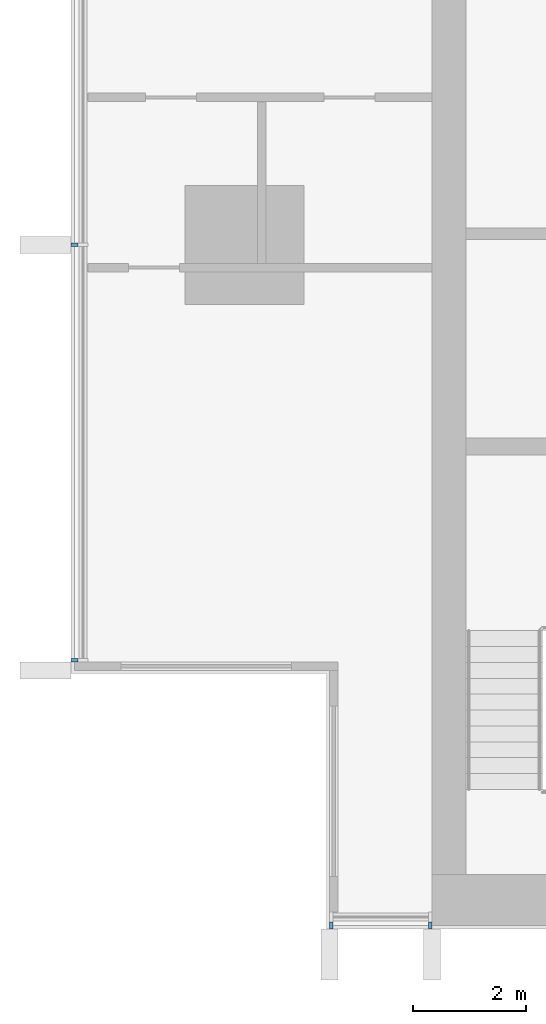
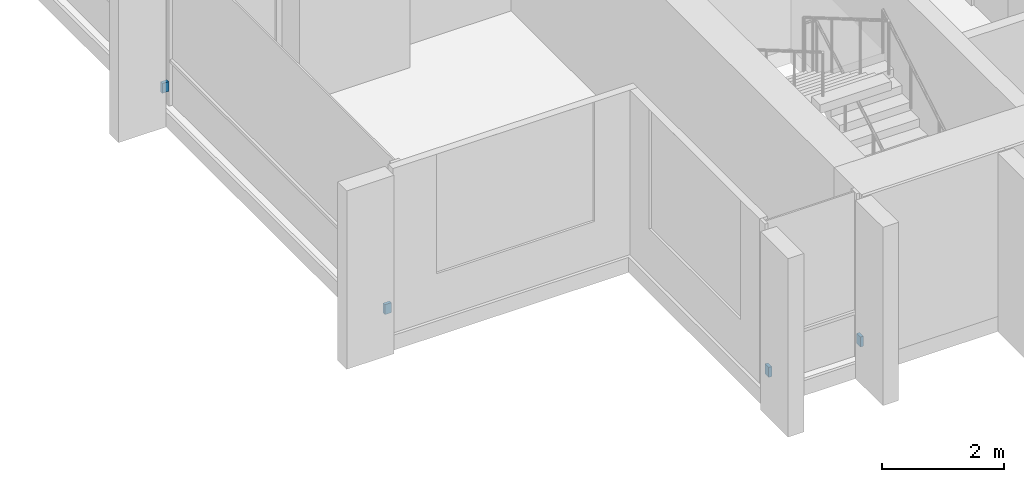
# One storey, part 12 of 16: 4 discrete accessories.
"""IFC4 building model written with IfcOpenShell, lengths in metres."""

from ifc_helpers import new_model, si_unit, direction, frame, origin, origin_2d, place, context, subcontext, project, spatial, rectangle, extrude, material, type_object, element, save


model = new_model("IFC4")

# Units and contexts
model_context = context("Model", 3, precision=1e-05, world=origin(), true_north=direction((0.0, 1.0)))
body_context = subcontext(model_context, "Body", "Model", "MODEL_VIEW")
ifc_project = project(units=[si_unit("LENGTHUNIT", "METRE"), si_unit("AREAUNIT", "SQUARE_METRE"), si_unit("VOLUMEUNIT", "CUBIC_METRE"), si_unit("PLANEANGLEUNIT", "RADIAN"), si_unit("MASSUNIT", "GRAM", prefix="KILO")], contexts=[model_context])

# Site, building, storey
site_placement = place(None, origin())
site = spatial("IfcSite", under=ifc_project, at=site_placement, CompositionType="ELEMENT")
building_placement = place(site_placement, origin())
building = spatial("IfcBuilding", under=site, at=building_placement, Name="Finial Court Residences", CompositionType="ELEMENT")
storey_placement = place(building_placement, frame((0.0, 0.0, 237.5)))
storey = spatial("IfcBuildingStorey", under=building, at=storey_placement, Name="L60", CompositionType="ELEMENT", Elevation=237.5)

# Discrete accessories
ifc_material = material(Name="Stainless steel 316", Category="steel")
discrete_accessory_type = type_object("IfcDiscreteAccessoryType", Name="Fin bracket, stainless steel 60 x 122 x 200", PredefinedType="BRACKET", material=ifc_material)
for number, where, z_axis, x_axis, name in (
    (1, (-14.969970703125, -25.498779296875, 0.2998046875), (0.0, 0.0, 1.0), (1.0, 0.0, 0.0), "E-L60-FIN-S13-BRK"),
    (2, (-13.22998046875, -25.498779296875, 0.2998046875), (0.0, 0.0, 1.0), (1.0, 0.0, 0.0), "E-L60-FIN-S14-BRK"),
):
    element("IfcDiscreteAccessory", number, at=place(storey_placement, frame(where, z_axis=z_axis, x_axis=x_axis)), inside=storey, type_object=discrete_accessory_type, Name=name, PredefinedType="BRACKET", context=body_context, shape_type="SweptSolid", body=[
        extrude(rectangle(XDim=0.06005859375, YDim=0.12255859375, at=origin_2d()), origin(), (0.0, 0.0, 1.0), 0.199951171875),
    ])
for number, where, z_axis, x_axis, name in (
    (3, (-19.498779296875, -20.820068359375, 0.2998046875), (0.0, 0.0, 1.0), (1.0, 0.0, 0.0), "E-L60-FIN-W21-BRK"),
    (4, (-19.498779296875, -13.5, 0.2998046875), (0.0, 0.0, 1.0), (1.0, 0.0, 0.0), "E-L60-FIN-W22-BRK"),
):
    element("IfcDiscreteAccessory", number, at=place(storey_placement, frame(where, z_axis=z_axis, x_axis=x_axis)), inside=storey, type_object=discrete_accessory_type, Name=name, PredefinedType="BRACKET", context=body_context, shape_type="SweptSolid", body=[
        extrude(rectangle(XDim=0.12255859375, YDim=0.06005859375, at=origin_2d()), origin(), (0.0, 0.0, 1.0), 0.199951171875),
    ])

save(model, "model.ifc")
